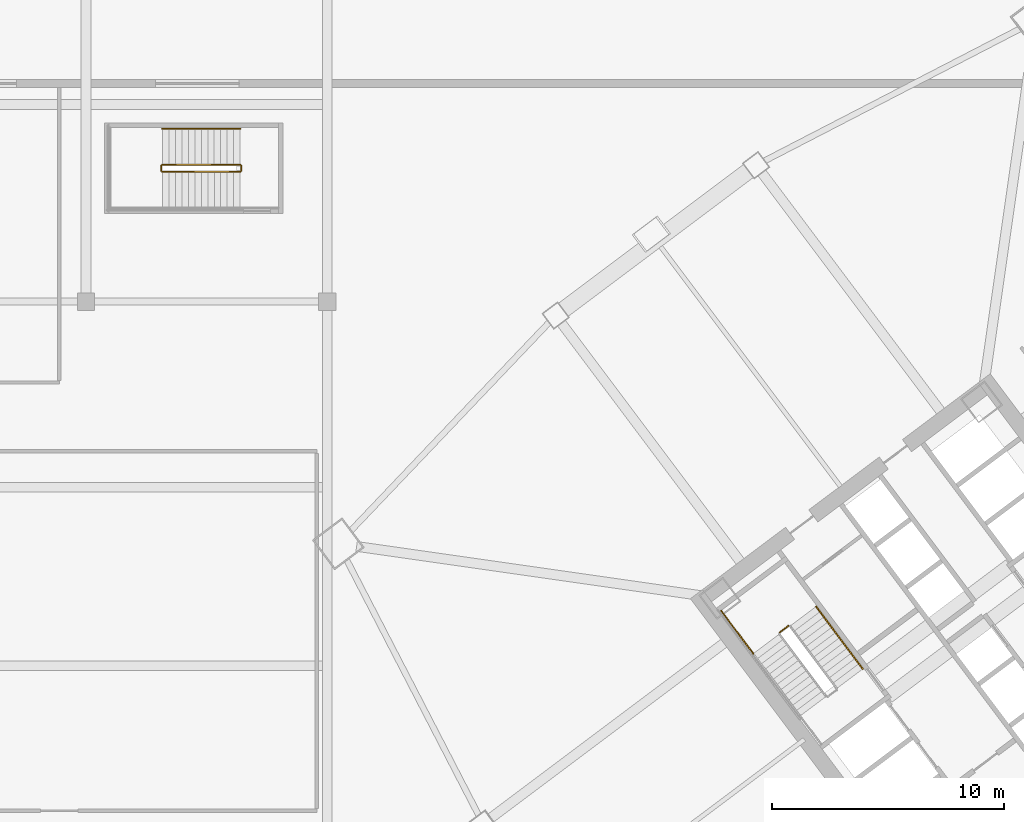
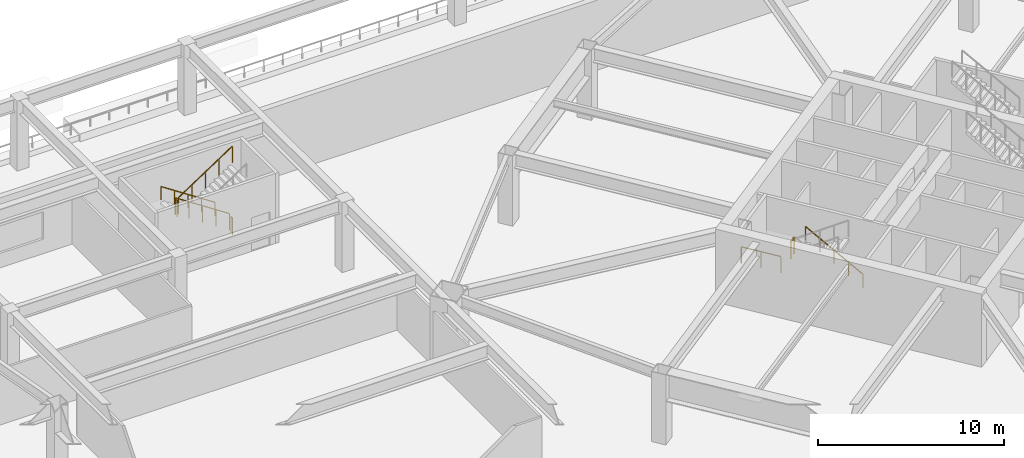
# One storey, part 19 of 21: 8 railings.
"""IFC4 building model written with IfcOpenShell, lengths in metres."""

from ifc_helpers import new_model, si_unit, direction, frame, origin, origin_2d, place, context, subcontext, project, spatial, rectangle, extrude, material, type_object, element, save


model = new_model("IFC4")

# Units and contexts
model_context = context("Model", 3, precision=1e-05, world=origin(), true_north=direction((0.0, 1.0)))
body_context = subcontext(model_context, "Body", "Model", "MODEL_VIEW")
ifc_project = project(units=[si_unit("LENGTHUNIT", "METRE"), si_unit("AREAUNIT", "SQUARE_METRE"), si_unit("VOLUMEUNIT", "CUBIC_METRE"), si_unit("PLANEANGLEUNIT", "RADIAN"), si_unit("MASSUNIT", "GRAM", prefix="KILO")], contexts=[model_context])

# Site, building, storey
site_placement = place(None, origin())
site = spatial("IfcSite", under=ifc_project, at=site_placement, CompositionType="ELEMENT")
building_placement = place(site_placement, origin())
building = spatial("IfcBuilding", under=site, at=building_placement, Name="Tashvorn Skyway Center", CompositionType="ELEMENT")
storey_placement = place(building_placement, frame((0.0, 0.0, 19.800048828125)))
storey = spatial("IfcBuildingStorey", under=building, at=storey_placement, Name="L04", CompositionType="ELEMENT", Elevation=19.800048828125)

# Railings
ifc_material_1 = material(Name="Brushed stainless steel 316", Category="steel")
railing_type_1 = type_object("IfcRailingType", Name="RAIL-HAND-920", PredefinedType="HANDRAIL", material=ifc_material_1)
railing_1_placement = place(storey_placement, frame((110.2880859375, 30.365966796875, 0.1845703125)))
element("IfcRailing", 1, at=railing_1_placement, inside=storey, type_object=railing_type_1, Name="L04 ST-T2-1 stair handrail 1", PredefinedType="HANDRAIL", context=body_context, shape_type="SweptSolid", body=[
    extrude(rectangle(XDim=0.048095703125, YDim=0.048095703125, at=origin_2d()), frame((0.0, 0.0, 0.8759765625), z_axis=(-0.500943092104, 0.667883681771, 0.55044291811), x_axis=(-0.79998256135, -0.600023250829, 0.0)), (0.0, 0.0, 1.0), 4.024658203125),
    extrude(rectangle(XDim=0.0419921875, YDim=0.0419921875, at=origin_2d()), origin(), (0.0, 0.0, 1.0), 0.851806640625),
    extrude(rectangle(XDim=0.0419921875, YDim=0.0419921875, at=origin_2d()), frame((-0.50390625, 0.671875, 0.5537109375)), (0.0, 0.0, 1.0), 0.851806640625),
    extrude(rectangle(XDim=0.0419921875, YDim=0.0419921875, at=origin_2d()), frame((-1.008056640625, 1.343994140625, 1.107666015625)), (0.0, 0.0, 1.0), 0.851806640625),
    extrude(rectangle(XDim=0.0419921875, YDim=0.0419921875, at=origin_2d()), frame((-1.51220703125, 2.01611328125, 1.66162109375)), (0.0, 0.0, 1.0), 0.851806640625),
    extrude(rectangle(XDim=0.0419921875, YDim=0.0419921875, at=origin_2d()), frame((-2.01611328125, 2.68798828125, 2.21533203125)), (0.0, 0.0, 1.0), 0.851806640625),
])
railing_2_placement = place(storey_placement, frame((83.449951171875, 53.64990234375, 0.1845703125)))
element("IfcRailing", 2, at=railing_2_placement, inside=storey, type_object=railing_type_1, Name="L04 ST-POD-2 stair handrail 1", PredefinedType="HANDRAIL", context=body_context, shape_type="SweptSolid", body=[
    extrude(rectangle(XDim=0.048095703125, YDim=0.048095703125, at=origin_2d()), frame((0.0, 0.0, 0.8759765625), z_axis=(-0.834858096282, 0.0, 0.550465220583), x_axis=(0.0, -1.0, 0.0)), (0.0, 0.0, 1.0), 4.0244140625),
    extrude(rectangle(XDim=0.0419921875, YDim=0.0419921875, at=origin_2d()), origin(), (0.0, 0.0, 1.0), 0.851806640625),
    extrude(rectangle(XDim=0.0419921875, YDim=0.0419921875, at=origin_2d()), frame((-0.83984375, 0.0, 0.5537109375)), (0.0, 0.0, 1.0), 0.851806640625),
    extrude(rectangle(XDim=0.0419921875, YDim=0.0419921875, at=origin_2d()), frame((-1.679931640625, 0.0, 1.107666015625)), (0.0, 0.0, 1.0), 0.851806640625),
    extrude(rectangle(XDim=0.0419921875, YDim=0.0419921875, at=origin_2d()), frame((-2.52001953125, 0.0, 1.66162109375)), (0.0, 0.0, 1.0), 0.851806640625),
    extrude(rectangle(XDim=0.0419921875, YDim=0.0419921875, at=origin_2d()), frame((-3.35986328125, 0.0, 2.21533203125)), (0.0, 0.0, 1.0), 0.851806640625),
])
ifc_material_2 = material(Name="Painted galvanized steel S355", Category="steel")
railing_type_2 = type_object("IfcRailingType", Name="RAIL-STGUARD-1100", PredefinedType="GUARDRAIL", material=ifc_material_2)
railing_3_placement = place(storey_placement, frame((107.08203125, 32.22412109375, 2.39990234375)))
element("IfcRailing", 3, at=railing_3_placement, inside=storey, type_object=railing_type_2, Name="L04 ST-T2-1 stair guard 2", PredefinedType="GUARDRAIL", context=body_context, shape_type="SweptSolid", body=[
    extrude(rectangle(XDim=0.048095703125, YDim=0.048095703125, at=origin_2d()), frame((0.0, 0.0, 1.076171875), z_axis=(-0.799938970639, -0.600081363861, 0.0), x_axis=(0.600081363861, -0.799938970639, 0.0)), (0.0, 0.0, 1.0), 0.47998046875),
    extrude(rectangle(XDim=0.0419921875, YDim=0.0419921875, at=origin_2d()), origin(), (0.0, 0.0, 1.0), 1.052001953125),
    extrude(rectangle(XDim=0.0419921875, YDim=0.0419921875, at=origin_2d()), frame((-0.384033203125, -0.2880859375, 0.0)), (0.0, 0.0, 1.0), 1.052001953125),
])
railing_4_placement = place(storey_placement, frame((105.568115234375, 31.02587890625, 2.39990234375)))
element("IfcRailing", 4, at=railing_4_placement, inside=storey, type_object=railing_type_2, Name="L04 ST-T2-1 stair guard 3", PredefinedType="GUARDRAIL", context=body_context, shape_type="SweptSolid", body=[
    extrude(rectangle(XDim=0.048095703125, YDim=0.048095703125, at=origin_2d()), frame((0.0, 0.0, 1.076171875), z_axis=(-0.599983164142, 0.800012626617, 0.0), x_axis=(-0.800012626617, -0.599983164142, 0.0)), (0.0, 0.0, 1.0), 2.3203125),
    extrude(rectangle(XDim=0.0419921875, YDim=0.0419921875, at=origin_2d()), origin(), (0.0, 0.0, 1.0), 1.052001953125),
    extrude(rectangle(XDim=0.0419921875, YDim=0.0419921875, at=origin_2d()), frame((-0.696044921875, 0.92822265625, 0.0)), (0.0, 0.0, 1.0), 1.052001953125),
    extrude(rectangle(XDim=0.0419921875, YDim=0.0419921875, at=origin_2d()), frame((-1.39208984375, 1.856201171875, 0.0)), (0.0, 0.0, 1.0), 1.052001953125),
])
railing_5_placement = place(storey_placement, frame((83.449951171875, 52.10009765625, 0.1845703125)))
element("IfcRailing", 5, at=railing_5_placement, inside=storey, type_object=railing_type_2, Name="L04 ST-POD-2 stair guard 1", PredefinedType="GUARDRAIL", context=body_context, shape_type="SweptSolid", body=[
    extrude(rectangle(XDim=0.048095703125, YDim=0.048095703125, at=origin_2d()), frame((0.0, 0.0, 1.076171875), z_axis=(-0.834858096282, 0.0, 0.550465220583), x_axis=(0.0, -1.0, 0.0)), (0.0, 0.0, 1.0), 4.0244140625),
    extrude(rectangle(XDim=0.0419921875, YDim=0.0419921875, at=origin_2d()), origin(), (0.0, 0.0, 1.0), 1.052001953125),
    extrude(rectangle(XDim=0.0419921875, YDim=0.0419921875, at=origin_2d()), frame((-0.83984375, 0.0, 0.5537109375)), (0.0, 0.0, 1.0), 1.052001953125),
    extrude(rectangle(XDim=0.0419921875, YDim=0.0419921875, at=origin_2d()), frame((-1.679931640625, 0.0, 1.107666015625)), (0.0, 0.0, 1.0), 1.052001953125),
    extrude(rectangle(XDim=0.0419921875, YDim=0.0419921875, at=origin_2d()), frame((-2.52001953125, 0.0, 1.66162109375)), (0.0, 0.0, 1.0), 1.052001953125),
    extrude(rectangle(XDim=0.0419921875, YDim=0.0419921875, at=origin_2d()), frame((-3.35986328125, 0.0, 2.21533203125)), (0.0, 0.0, 1.0), 1.052001953125),
])
railing_6_placement = place(storey_placement, frame((80.0400390625, 52.050048828125, 2.39990234375)))
element("IfcRailing", 6, at=railing_6_placement, inside=storey, type_object=railing_type_2, Name="L04 ST-POD-2 stair guard 2", PredefinedType="GUARDRAIL", context=body_context, shape_type="SweptSolid", body=[
    extrude(rectangle(XDim=0.048095703125, YDim=0.048095703125, at=origin_2d()), frame((0.0, 0.0, 1.076171875), z_axis=(0.0, -1.0, 0.0), x_axis=(1.0, 0.0, 0.0)), (0.0, 0.0, 1.0), 0.199951171875),
    extrude(rectangle(XDim=0.0419921875, YDim=0.0419921875, at=origin_2d()), origin(), (0.0, 0.0, 1.0), 1.052001953125),
    extrude(rectangle(XDim=0.0419921875, YDim=0.0419921875, at=origin_2d()), frame((0.0, -0.199951171875, 0.0)), (0.0, 0.0, 1.0), 1.052001953125),
])
railing_7_placement = place(storey_placement, frame((80.090087890625, 51.800048828125, 2.58447265625)))
element("IfcRailing", 7, at=railing_7_placement, inside=storey, type_object=railing_type_2, Name="L04 ST-POD-2 stair guard 5", PredefinedType="GUARDRAIL", context=body_context, shape_type="SweptSolid", body=[
    extrude(rectangle(XDim=0.048095703125, YDim=0.048095703125, at=origin_2d()), frame((0.0, 0.0, 1.076171875), z_axis=(0.83483021737, 0.0, 0.550507500554), x_axis=(0.0, 1.0, 0.0)), (0.0, 0.0, 1.0), 4.024658203125),
    extrude(rectangle(XDim=0.0419921875, YDim=0.0419921875, at=origin_2d()), origin(), (0.0, 0.0, 1.0), 1.052001953125),
    extrude(rectangle(XDim=0.0419921875, YDim=0.0419921875, at=origin_2d()), frame((0.83984375, 0.0, 0.553955078125)), (0.0, 0.0, 1.0), 1.052001953125),
    extrude(rectangle(XDim=0.0419921875, YDim=0.0419921875, at=origin_2d()), frame((1.679931640625, 0.0, 1.10791015625)), (0.0, 0.0, 1.0), 1.052001953125),
    extrude(rectangle(XDim=0.0419921875, YDim=0.0419921875, at=origin_2d()), frame((2.52001953125, 0.0, 1.66162109375)), (0.0, 0.0, 1.0), 1.052001953125),
    extrude(rectangle(XDim=0.0419921875, YDim=0.0419921875, at=origin_2d()), frame((3.35986328125, 0.0, 2.215576171875)), (0.0, 0.0, 1.0), 1.052001953125),
])
railing_8_placement = place(storey_placement, frame((83.5, 52.050048828125, 0.0)))
element("IfcRailing", 8, at=railing_8_placement, inside=storey, type_object=railing_type_2, Name="L04 ST-POD-2 stair guard 6", PredefinedType="GUARDRAIL", context=body_context, shape_type="SweptSolid", body=[
    extrude(rectangle(XDim=0.048095703125, YDim=0.048095703125, at=origin_2d()), frame((0.0, 0.0, 1.076171875), z_axis=(0.0, -1.0, 0.0), x_axis=(1.0, 0.0, 0.0)), (0.0, 0.0, 1.0), 0.199951171875),
    extrude(rectangle(XDim=0.0419921875, YDim=0.0419921875, at=origin_2d()), origin(), (0.0, 0.0, 1.0), 1.052001953125),
    extrude(rectangle(XDim=0.0419921875, YDim=0.0419921875, at=origin_2d()), frame((0.0, -0.199951171875, 0.0)), (0.0, 0.0, 1.0), 1.052001953125),
])

save(model, "model.ifc")
